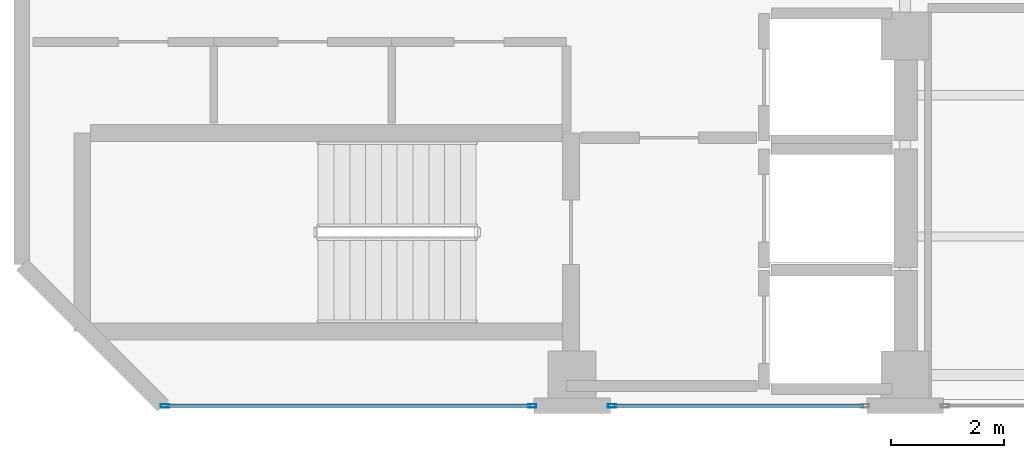
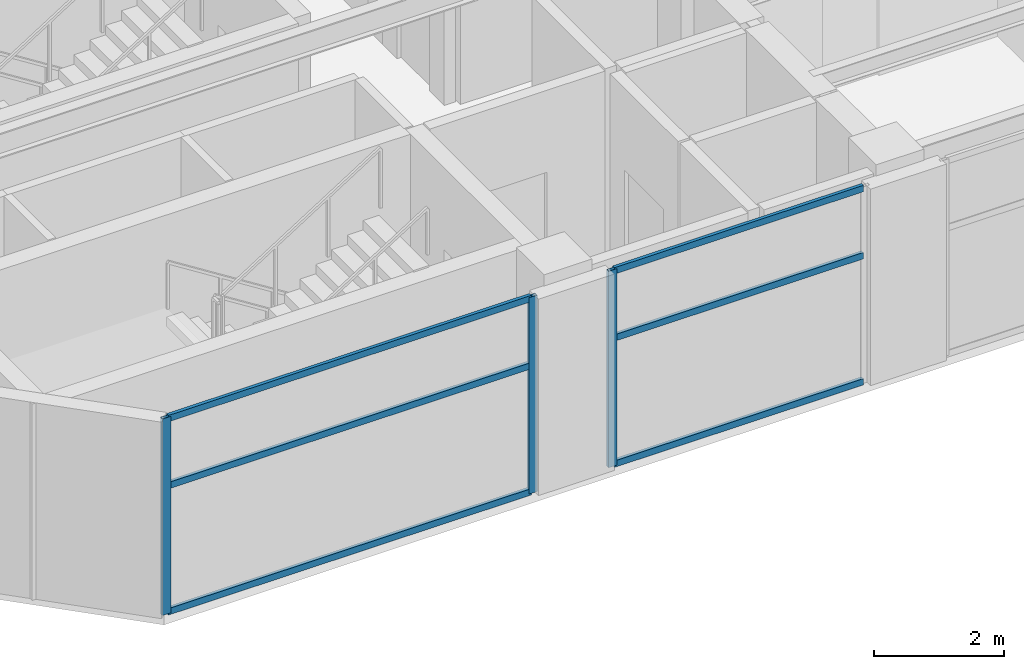
# One storey, part 2 of 14: 9 members, 2 elements without a shape of their own.
"""IFC4 building model written with IfcOpenShell, lengths in metres."""

from ifc_helpers import new_model, si_unit, direction, frame, origin, origin_2d, place, context, subcontext, project, spatial, hollow_rectangle, extrude, material, layer, layer_set, material_profile, profile_set, type_object, element, aggregate, save


model = new_model("IFC4")

# Units and contexts
model_context = context("Model", 3, precision=1e-05, world=origin(), true_north=direction((0.0, 1.0)))
body_context = subcontext(model_context, "Body", "Model", "MODEL_VIEW")
ifc_project = project(units=[si_unit("LENGTHUNIT", "METRE"), si_unit("AREAUNIT", "SQUARE_METRE"), si_unit("VOLUMEUNIT", "CUBIC_METRE"), si_unit("PLANEANGLEUNIT", "RADIAN"), si_unit("MASSUNIT", "GRAM", prefix="KILO")], contexts=[model_context])

# Site, building, storey
site_placement = place(None, origin())
site = spatial("IfcSite", under=ifc_project, at=site_placement, CompositionType="ELEMENT")
building_placement = place(site_placement, origin())
building = spatial("IfcBuilding", under=site, at=building_placement, Name="Mawjaban Terraces University", CompositionType="ELEMENT")
storey_placement = place(building_placement, frame((0.0, 0.0, 256.0)))
storey = spatial("IfcBuildingStorey", under=building, at=storey_placement, Name="L62", CompositionType="ELEMENT", Elevation=256.0)

# Curtain wall, members
ifc_material_1 = material(Name="Anodised aluminium 6063-T6 and solar-control low-E glass", Category="aluminium")
ifc_layer = layer(ifc_material_1, 0.159912109375)
ifc_layer_set = layer_set([ifc_layer], Name="Anodised aluminium 6063-T6 and solar-control low-E glass")
curtain_wall_type = type_object("IfcCurtainWallType", Name="CWSystem_03_NorthWing", PredefinedType="NOTDEFINED", material=ifc_layer_set)
curtain_wall_1_placement = place(storey_placement, origin())
curtain_wall_1 = element("IfcCurtainWall", 1, at=curtain_wall_1_placement, inside=storey, type_object=curtain_wall_type, Name="L62 Curtain Wall CW-03 Run 1.1", PredefinedType="NOTDEFINED")
ifc_material_2 = material(Name="Anodised aluminium 6063-T6", Category="aluminium")
ifc_material_profile_1 = material_profile(ifc_material_2, hollow_rectangle(XDim=0.06005859375, YDim=0.14990234375, WallThickness=0.00390625, at=origin_2d()), Name="ALU150X60X4")
ifc_profile_set_1 = profile_set([ifc_material_profile_1], Name="Anodised aluminium 6063-T6")
member_type_1 = type_object("IfcMemberType", Name="Mullion_CW-03", PredefinedType="MULLION", material=ifc_profile_set_1)
member_1_placement = place(storey_placement, frame((24.532470703125, 0.0, 0.0), z_axis=(0.0, 0.0, 1.0), x_axis=(0.0, 1.0, 0.0)))
member_1 = element("IfcMember", 2, at=member_1_placement, type_object=member_type_1, Name="CW-03 mullion 1", PredefinedType="MULLION", context=body_context, shape_type="SweptSolid", body=[
    extrude(hollow_rectangle(XDim=0.06005859375, YDim=0.14990234375, WallThickness=0.00390625, at=origin_2d()), origin(), (0.0, 0.0, 1.0), 3.68994140625),
])
member_2_placement = place(storey_placement, frame((31.04248046875, 0.0, 0.0), z_axis=(0.0, 0.0, 1.0), x_axis=(0.0, 1.0, 0.0)))
member_2 = element("IfcMember", 3, at=member_2_placement, type_object=member_type_1, Name="CW-03 mullion 2", PredefinedType="MULLION", context=body_context, shape_type="SweptSolid", body=[
    extrude(hollow_rectangle(XDim=0.06005859375, YDim=0.14990234375, WallThickness=0.00390625, at=origin_2d()), origin(), (0.0, 0.0, 1.0), 3.68994140625),
])

# Curtain wall, member
curtain_wall_2_placement = place(storey_placement, origin())
curtain_wall_2 = element("IfcCurtainWall", 4, at=curtain_wall_2_placement, inside=storey, type_object=curtain_wall_type, Name="L62 Curtain Wall CW-03 Run 1.2", PredefinedType="NOTDEFINED")
member_3_placement = place(storey_placement, frame((32.45751953125, 0.0, 0.0), z_axis=(0.0, 0.0, 1.0), x_axis=(0.0, 1.0, 0.0)))
member_3 = element("IfcMember", 5, at=member_3_placement, type_object=member_type_1, Name="CW-03 mullion 1", PredefinedType="MULLION", context=body_context, shape_type="SweptSolid", body=[
    extrude(hollow_rectangle(XDim=0.06005859375, YDim=0.14990234375, WallThickness=0.00390625, at=origin_2d()), origin(), (0.0, 0.0, 1.0), 3.68994140625),
])

# Member
ifc_material_profile_2 = material_profile(ifc_material_2, hollow_rectangle(XDim=0.06005859375, YDim=0.1201171875, WallThickness=0.00341796875, at=origin_2d()), Name="ALU120X60X3.5")
ifc_profile_set_2 = profile_set([ifc_material_profile_2], Name="Anodised aluminium 6063-T6")
member_type_2 = type_object("IfcMemberType", Name="Transom_CW-03", PredefinedType="NOTDEFINED", material=ifc_profile_set_2)
member_4_placement = place(storey_placement, frame((24.56494140625, 0.0, 0.030029296875), z_axis=(1.0, 0.0, 0.0), x_axis=(0.0, 1.0, 0.0)))
member_4 = element("IfcMember", 6, at=member_4_placement, type_object=member_type_2, Name="CW-03 transom 1.1", ObjectType="TRANSOM", PredefinedType="USERDEFINED", context=body_context, shape_type="SweptSolid", body=[
    extrude(hollow_rectangle(XDim=0.06005859375, YDim=0.1201171875, WallThickness=0.00341796875, at=origin_2d()), origin(), (0.0, 0.0, 1.0), 6.445068359375),
])

member_5_placement = place(storey_placement, frame((24.56494140625, 0.0, 2.39892578125), z_axis=(1.0, 0.0, 0.0), x_axis=(0.0, 1.0, 0.0)))
member_5 = element("IfcMember", 7, at=member_5_placement, type_object=member_type_2, Name="CW-03 transom 1.2", ObjectType="TRANSOM", PredefinedType="USERDEFINED", context=body_context, shape_type="SweptSolid", body=[
    extrude(hollow_rectangle(XDim=0.06005859375, YDim=0.1201171875, WallThickness=0.00341796875, at=origin_2d()), origin(), (0.0, 0.0, 1.0), 6.445068359375),
])

member_6_placement = place(storey_placement, frame((24.56494140625, 0.0, 3.659912109375), z_axis=(1.0, 0.0, 0.0), x_axis=(0.0, 1.0, 0.0)))
member_6 = element("IfcMember", 8, at=member_6_placement, type_object=member_type_2, Name="CW-03 transom 1.3", ObjectType="TRANSOM", PredefinedType="USERDEFINED", context=body_context, shape_type="SweptSolid", body=[
    extrude(hollow_rectangle(XDim=0.06005859375, YDim=0.1201171875, WallThickness=0.00341796875, at=origin_2d()), origin(), (0.0, 0.0, 1.0), 6.445068359375),
])

aggregate(curtain_wall_1, [member_1, member_2, member_4, member_5, member_6])

member_7_placement = place(storey_placement, frame((32.489990234375, 0.0, 0.030029296875), z_axis=(1.0, 0.0, 0.0), x_axis=(0.0, 1.0, 0.0)))
member_7 = element("IfcMember", 9, at=member_7_placement, type_object=member_type_2, Name="CW-03 transom 1.1", ObjectType="TRANSOM", PredefinedType="USERDEFINED", context=body_context, shape_type="SweptSolid", body=[
    extrude(hollow_rectangle(XDim=0.06005859375, YDim=0.1201171875, WallThickness=0.00341796875, at=origin_2d()), origin(), (0.0, 0.0, 1.0), 4.419921875),
])

member_8_placement = place(storey_placement, frame((32.489990234375, 0.0, 2.39892578125), z_axis=(1.0, 0.0, 0.0), x_axis=(0.0, 1.0, 0.0)))
member_8 = element("IfcMember", 10, at=member_8_placement, type_object=member_type_2, Name="CW-03 transom 1.2", ObjectType="TRANSOM", PredefinedType="USERDEFINED", context=body_context, shape_type="SweptSolid", body=[
    extrude(hollow_rectangle(XDim=0.06005859375, YDim=0.1201171875, WallThickness=0.00341796875, at=origin_2d()), origin(), (0.0, 0.0, 1.0), 4.419921875),
])

member_9_placement = place(storey_placement, frame((32.489990234375, 0.0, 3.659912109375), z_axis=(1.0, 0.0, 0.0), x_axis=(0.0, 1.0, 0.0)))
member_9 = element("IfcMember", 11, at=member_9_placement, type_object=member_type_2, Name="CW-03 transom 1.3", ObjectType="TRANSOM", PredefinedType="USERDEFINED", context=body_context, shape_type="SweptSolid", body=[
    extrude(hollow_rectangle(XDim=0.06005859375, YDim=0.1201171875, WallThickness=0.00341796875, at=origin_2d()), origin(), (0.0, 0.0, 1.0), 4.419921875),
])

aggregate(curtain_wall_2, [member_3, member_7, member_8, member_9])

save(model, "model.ifc")
